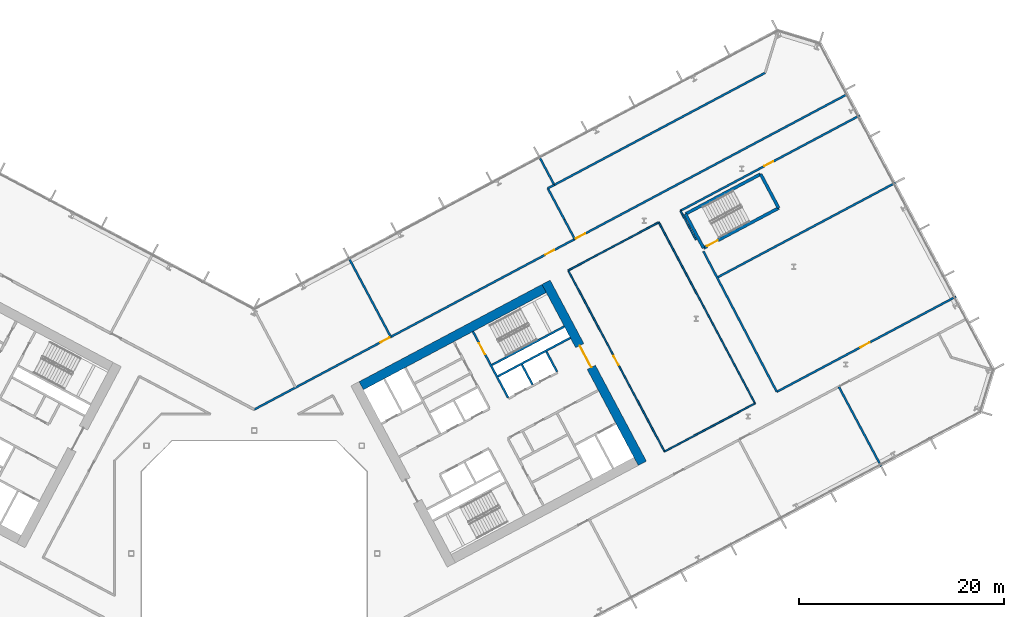
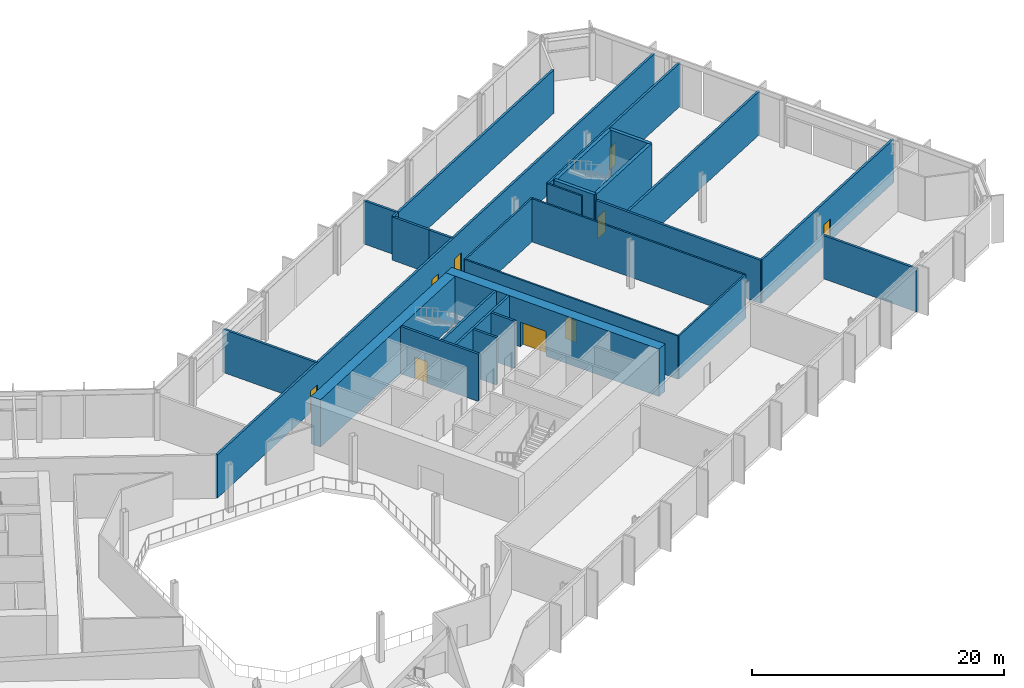
# One storey, part 18 of 32: 28 walls, 9 doors, 9 openings.
"""IFC4 building model written with IfcOpenShell, lengths in metres."""

from ifc_helpers import new_model, si_unit, direction, frame, frame_2d, origin, place, context, subcontext, project, spatial, rectangle, extrude, material, layer, layer_set, type_object, element, fill, save


model = new_model("IFC4")

# Units and contexts
model_context = context("Model", 3, precision=1e-05, world=origin(), true_north=direction((0.0, 1.0)))
body_context = subcontext(model_context, "Body", "Model", "MODEL_VIEW")
ifc_project = project(units=[si_unit("LENGTHUNIT", "METRE"), si_unit("AREAUNIT", "SQUARE_METRE"), si_unit("VOLUMEUNIT", "CUBIC_METRE"), si_unit("PLANEANGLEUNIT", "RADIAN"), si_unit("MASSUNIT", "GRAM", prefix="KILO")], contexts=[model_context])

# Site, building, storey
site_placement = place(None, origin())
site = spatial("IfcSite", under=ifc_project, at=site_placement, CompositionType="ELEMENT")
building_placement = place(site_placement, origin())
building = spatial("IfcBuilding", under=site, at=building_placement, Name="Cormorant Relay Tower", CompositionType="ELEMENT")
storey_placement = place(building_placement, frame((0.0, 0.0, 70.800048828125)))
storey = spatial("IfcBuildingStorey", under=building, at=storey_placement, Name="L13", CompositionType="ELEMENT", Elevation=70.800048828125)

# Wall
ifc_material_1 = material(Name="Concrete 40 MPa", Category="concrete")
ifc_layer_1 = layer(ifc_material_1, 0.199951171875)
ifc_layer_set_1 = layer_set([ifc_layer_1], Name="Core internal wall 200")
wall_type_1 = type_object("IfcWallType", Name="Core internal wall 200", PredefinedType="SOLIDWALL", material=ifc_layer_set_1)
wall_1_placement = place(storey_placement, frame((27.144287109375, 16.471435546875, 0.0), z_axis=(0.0, 0.0, 1.0), x_axis=(-0.469401318492, 0.882984938828, 0.0)))
element("IfcWall", 1, at=wall_1_placement, inside=storey, type_object=wall_type_1, Name="L13 core B shaft and room wall", PredefinedType="SOLIDWALL", context=body_context, shape_type="SweptSolid", body=[
    extrude(rectangle(XDim=2.199951171875, YDim=0.199951171875, at=frame_2d((1.10009765625, 0.0))), origin(), (0.0, 0.0, 1.0), 4.599853515625),
])

# Wall, opening, door
ifc_material_2 = material(Name="Concrete 50 MPa", Category="concrete")
ifc_layer_2 = layer(ifc_material_2, 0.199951171875)
ifc_layer_set_2 = layer_set([ifc_layer_2], Name="Core shaft wall 200")
wall_type_2 = type_object("IfcWallType", Name="Core shaft wall 200", PredefinedType="SHEAR", material=ifc_layer_set_2)
wall_2_placement = place(storey_placement, frame((24.760498046875, 15.2041015625, 0.0), z_axis=(0.0, 0.0, 1.0), x_axis=(-0.469494272526, 0.882935517501, 0.0)))
wall_2 = element("IfcWall", 2, at=wall_2_placement, inside=storey, type_object=wall_type_2, Name="L13 core B shaft wall", PredefinedType="SHEAR", context=body_context, shape_type="SweptSolid", body=[
    extrude(rectangle(XDim=7.2998046875, YDim=0.199951171875, at=frame_2d((3.64990234375, 0.0))), origin(), (0.0, 0.0, 1.0), 4.599853515625),
])
opening_1_placement = place(wall_2_placement, frame((4.800048828125, 0.0, 0.0)))
opening_1 = element("IfcOpeningElement", 3, at=opening_1_placement, cuts=wall_2, Name="Opening CDB-027", PredefinedType="OPENING", context=body_context, shape_type="SweptSolid", body=[
    extrude(rectangle(XDim=1.199951171875, YDim=2.10009765625, at=frame_2d((0.60009765625, 1.050048828125))), frame((0.0, 0.10986328125, 0.0), z_axis=(0.0, -1.0, 0.0), x_axis=(1.0, 0.0, 0.0)), (0.0, 0.0, 1.0), 0.219970703125),
])
ifc_material_3 = material(Name="Steel fire door", Category="steel")
door_type_1 = type_object("IfcDoorType", Name="Core stair door 1200x2100", OperationType="SINGLE_SWING_LEFT", PredefinedType="DOOR", material=ifc_material_3)
door_1_placement = place(opening_1_placement, frame((1.199951171875, 0.0, 0.0), z_axis=(0.0, 0.0, 1.0), x_axis=(-1.0, 0.0, 0.0)))
door_1 = element("IfcDoor", 4, at=door_1_placement, inside=storey, type_object=door_type_1, Name="Core stair door 1200x2100", OperationType="SINGLE_SWING_RIGHT", OverallHeight=2.10009765625, OverallWidth=1.199951171875, PredefinedType="DOOR", context=body_context, shape_type="SweptSolid", body=[
    extrude(rectangle(XDim=1.199951171875, YDim=2.10009765625, at=frame_2d((0.60009765625, 1.050048828125))), frame((0.0, 0.02490234375, 0.0), z_axis=(0.0, -1.0, 0.0), x_axis=(1.0, 0.0, 0.0)), (0.0, 0.0, 1.0), 0.050048828125),
])
fill(opening_1, door_1)

# Walls
wall_3_placement = place(storey_placement, frame((29.5283203125, 17.739013671875, 0.0), z_axis=(0.0, 0.0, 1.0), x_axis=(-0.469401318492, 0.882984938828, 0.0)))
element("IfcWall", 5, at=wall_3_placement, inside=storey, type_object=wall_type_2, Name="L13 core B shaft wall", PredefinedType="SHEAR", context=body_context, shape_type="SweptSolid", body=[
    extrude(rectangle(XDim=2.199951171875, YDim=0.199951171875, at=frame_2d((1.10009765625, 0.0))), origin(), (0.0, 0.0, 1.0), 4.599853515625),
])
wall_4_placement = place(storey_placement, frame((23.76904296875, 17.28173828125, 0.0), z_axis=(0.0, 0.0, 1.0), x_axis=(0.882940221191, 0.469485426614, 0.0)))
element("IfcWall", 6, at=wall_4_placement, inside=storey, type_object=wall_type_2, Name="L13 core B shaft wall", PredefinedType="SHEAR", context=body_context, shape_type="SweptSolid", body=[
    extrude(rectangle(XDim=8.0, YDim=0.199951171875, at=frame_2d((4.0, 0.0))), origin(), (0.0, 0.0, 1.0), 4.599853515625),
])
wall_5_placement = place(storey_placement, frame((23.18212890625, 18.385498046875, 0.0), z_axis=(0.0, 0.0, 1.0), x_axis=(0.88295287151, 0.469461634952, 0.0)))
element("IfcWall", 7, at=wall_5_placement, inside=storey, type_object=wall_type_2, Name="L13 core B shaft wall", PredefinedType="SHEAR", context=body_context, shape_type="SweptSolid", body=[
    extrude(rectangle(XDim=7.999755859375, YDim=0.199951171875, at=frame_2d((4.0, 0.0))), origin(), (0.0, 0.0, 1.0), 4.599853515625),
])

# Wall, opening, door
ifc_material_4 = material(Name="Concrete 70 MPa", Category="concrete")
ifc_layer_3 = layer(ifc_material_4, 0.89990234375)
ifc_layer_set_3 = layer_set([ifc_layer_3], Name="Core wall 900")
wall_type_3 = type_object("IfcWallType", Name="Core wall 900", PredefinedType="SHEAR", material=ifc_layer_set_3)
wall_6_placement = place(storey_placement, frame((37.849365234375, 8.799072265625, 0.0), z_axis=(0.0, 0.0, 1.0), x_axis=(-0.469465789982, 0.882950662289, 0.0)))
wall_6 = element("IfcWall", 8, at=wall_6_placement, inside=storey, type_object=wall_type_3, Name="L13 core B wall", PredefinedType="SHEAR", context=body_context, shape_type="SweptSolid", body=[
    extrude(rectangle(XDim=20.000244140625, YDim=0.89990234375, at=frame_2d((10.0, 0.0))), origin(), (0.0, 0.0, 1.0), 4.599853515625),
])
opening_2_placement = place(wall_6_placement, frame((10.60009765625, 0.0, 0.0)))
opening_2 = element("IfcOpeningElement", 9, at=opening_2_placement, cuts=wall_6, Name="Opening CDA-020", PredefinedType="OPENING", context=body_context, shape_type="SweptSolid", body=[
    extrude(rectangle(XDim=2.39990234375, YDim=2.39990234375, at=frame_2d((1.199951171875, 1.199951171875))), frame((0.0, 0.4599609375, 0.0), z_axis=(0.0, -1.0, 0.0), x_axis=(1.0, 0.0, 0.0)), (0.0, 0.0, 1.0), 0.919921875),
])
ifc_material_5 = material(Name="Steel fire door", Category="steel")
door_type_2 = type_object("IfcDoorType", Name="Core lobby door 2400x2400", OperationType="DOUBLE_DOOR_SINGLE_SWING", PredefinedType="DOOR", material=ifc_material_5)
door_2_placement = place(opening_2_placement, origin())
door_2 = element("IfcDoor", 10, at=door_2_placement, inside=storey, type_object=door_type_2, Name="Core lobby door 2400x2400", OperationType="DOUBLE_DOOR_SINGLE_SWING", OverallHeight=2.39990234375, OverallWidth=2.39990234375, PredefinedType="DOOR", context=body_context, shape_type="SweptSolid", body=[
    extrude(rectangle(XDim=2.39990234375, YDim=2.39990234375, at=frame_2d((1.199951171875, 1.199951171875))), frame((0.0, 0.02490234375, 0.0), z_axis=(0.0, -1.0, 0.0), x_axis=(1.0, 0.0, 0.0)), (0.0, 0.0, 1.0), 0.050048828125),
])
fill(opening_2, door_2)

# Wall
wall_7_placement = place(storey_placement, frame((10.4384765625, 16.3662109375, 0.0), z_axis=(0.0, 0.0, 1.0), x_axis=(0.88294509198, 0.469476266226, 0.0)))
element("IfcWall", 11, at=wall_7_placement, inside=storey, type_object=wall_type_3, Name="L13 core B wall", PredefinedType="SHEAR", context=body_context, shape_type="SweptSolid", body=[
    extrude(rectangle(XDim=20.199951171875, YDim=0.89990234375, at=frame_2d((10.10009765625, 0.0))), origin(), (0.0, 0.0, 1.0), 4.599853515625),
])

# Wall, openings, doors
ifc_material_6 = material(Name="Fire-rated gypsum board partition")
ifc_layer_4 = layer(ifc_material_6, 0.199951171875)
ifc_layer_set_4 = layer_set([ifc_layer_4], Name="Fire-rated gypsum partition 200")
wall_type_4 = type_object("IfcWallType", Name="Fire-rated gypsum partition 200", PredefinedType="PARTITIONING", material=ifc_layer_set_4)
wall_8_placement = place(storey_placement, frame((0.0, 14.0439453125, 0.0), z_axis=(0.0, 0.0, 1.0), x_axis=(0.882943219941, 0.469479786955, 0.0)))
wall_8 = element("IfcWall", 12, at=wall_8_placement, inside=storey, type_object=wall_type_4, Name="wall/L13/part/9", PredefinedType="PARTITIONING", context=body_context, shape_type="SweptSolid", body=[
    extrude(rectangle(XDim=65.606689453125, YDim=0.199951171875, at=frame_2d((32.80322265625, 0.0))), origin(), (0.0, 0.0, 1.0), 4.199951171875),
])
opening_3_placement = place(wall_8_placement, frame((35.550048828125, 0.0, 0.0)))
opening_3 = element("IfcOpeningElement", 13, at=opening_3_placement, cuts=wall_8, Name="Opening FD1-087", PredefinedType="OPENING", context=body_context, shape_type="SweptSolid", body=[
    extrude(rectangle(XDim=1.0, YDim=2.10009765625, at=frame_2d((0.5, 1.050048828125))), frame((0.0, 0.10986328125, 0.0), z_axis=(0.0, -1.0, 0.0), x_axis=(1.0, 0.0, 0.0)), (0.0, 0.0, 1.0), 0.219970703125),
])
opening_4_placement = place(wall_8_placement, frame((32.14990234375, 0.0, 0.0)))
opening_4 = element("IfcOpeningElement", 14, at=opening_4_placement, cuts=wall_8, Name="Opening FD1-088", PredefinedType="OPENING", context=body_context, shape_type="SweptSolid", body=[
    extrude(rectangle(XDim=1.0, YDim=2.10009765625, at=frame_2d((0.5, 1.050048828125))), frame((0.0, 0.10986328125, 0.0), z_axis=(0.0, -1.0, 0.0), x_axis=(1.0, 0.0, 0.0)), (0.0, 0.0, 1.0), 0.219970703125),
])
opening_5_placement = place(wall_8_placement, frame((13.949951171875, 0.0, 0.0)))
opening_5 = element("IfcOpeningElement", 15, at=opening_5_placement, cuts=wall_8, Name="Opening FD1-089", PredefinedType="OPENING", context=body_context, shape_type="SweptSolid", body=[
    extrude(rectangle(XDim=1.0, YDim=2.10009765625, at=frame_2d((0.5, 1.050048828125))), frame((0.0, 0.10986328125, 0.0), z_axis=(0.0, -1.0, 0.0), x_axis=(1.0, 0.0, 0.0)), (0.0, 0.0, 1.0), 0.219970703125),
])
ifc_material_7 = material(Name="Fire-rated steel door", Category="steel")
door_type_3 = type_object("IfcDoorType", Name="Fire door 1000 x 2100", OperationType="SINGLE_SWING_LEFT", PredefinedType="DOOR", material=ifc_material_7)
door_3_placement = place(opening_3_placement, origin())
door_3 = element("IfcDoor", 16, at=door_3_placement, inside=storey, type_object=door_type_3, Name="door/L13/5", OperationType="SINGLE_SWING_LEFT", OverallHeight=2.10009765625, OverallWidth=1.0, PredefinedType="DOOR", context=body_context, shape_type="SweptSolid", body=[
    extrude(rectangle(XDim=1.0, YDim=2.10009765625, at=frame_2d((0.5, 1.050048828125))), frame((0.0, 0.02490234375, 0.0), z_axis=(0.0, -1.0, 0.0), x_axis=(1.0, 0.0, 0.0)), (0.0, 0.0, 1.0), 0.050048828125),
])
fill(opening_3, door_3)
door_4_placement = place(opening_4_placement, origin())
door_4 = element("IfcDoor", 17, at=door_4_placement, inside=storey, type_object=door_type_3, Name="door/L13/6", OperationType="SINGLE_SWING_LEFT", OverallHeight=2.10009765625, OverallWidth=1.0, PredefinedType="DOOR", context=body_context, shape_type="SweptSolid", body=[
    extrude(rectangle(XDim=1.0, YDim=2.10009765625, at=frame_2d((0.5, 1.050048828125))), frame((0.0, 0.02490234375, 0.0), z_axis=(0.0, -1.0, 0.0), x_axis=(1.0, 0.0, 0.0)), (0.0, 0.0, 1.0), 0.050048828125),
])
fill(opening_4, door_4)
door_5_placement = place(opening_5_placement, origin())
door_5 = element("IfcDoor", 18, at=door_5_placement, inside=storey, type_object=door_type_3, Name="door/L13/7", OperationType="SINGLE_SWING_RIGHT", OverallHeight=2.10009765625, OverallWidth=1.0, PredefinedType="DOOR", context=body_context, shape_type="SweptSolid", body=[
    extrude(rectangle(XDim=1.0, YDim=2.10009765625, at=frame_2d((0.5, 1.050048828125))), frame((0.0, 0.02490234375, 0.0), z_axis=(0.0, -1.0, 0.0), x_axis=(1.0, 0.0, 0.0)), (0.0, 0.0, 1.0), 0.050048828125),
])
fill(opening_5, door_5)

# Walls
wall_9_placement = place(storey_placement, frame((9.19091796875, 28.89794921875, 0.0), z_axis=(0.0, 0.0, 1.0), x_axis=(0.46939995126, -0.882985665658, 0.0)))
element("IfcWall", 19, at=wall_9_placement, inside=storey, type_object=wall_type_4, Name="wall/L13/part/27", PredefinedType="PARTITIONING", context=body_context, shape_type="SweptSolid", body=[
    extrude(rectangle(XDim=8.80078125, YDim=0.199951171875, at=frame_2d((4.400390625, 0.0))), origin(), (0.0, 0.0, 1.0), 4.199951171875),
])
wall_10_placement = place(storey_placement, frame((30.2490234375, 32.572021484375, 0.0), z_axis=(0.0, 0.0, 1.0), x_axis=(0.469290296872, -0.883043949791, 0.0)))
element("IfcWall", 20, at=wall_10_placement, inside=storey, type_object=wall_type_4, Name="wall/L13/part/33", PredefinedType="PARTITIONING", context=body_context, shape_type="SweptSolid", body=[
    extrude(rectangle(XDim=2.158447265625, YDim=0.199951171875, at=frame_2d((1.0791015625, 0.0))), origin(), (0.0, 0.0, 1.0), 4.199951171875),
])
wall_11_placement = place(storey_placement, frame((27.760009765625, 38.77099609375, 0.0), z_axis=(0.0, 0.0, 1.0), x_axis=(0.469320691295, -0.883027796121, 0.0)))
element("IfcWall", 21, at=wall_11_placement, inside=storey, type_object=wall_type_4, Name="wall/L13/part/37", PredefinedType="PARTITIONING", context=body_context, shape_type="SweptSolid", body=[
    extrude(rectangle(XDim=3.2001953125, YDim=0.199951171875, at=frame_2d((1.60009765625, 0.0))), origin(), (0.0, 0.0, 1.0), 4.199951171875),
])
wall_12_placement = place(storey_placement, frame((29.260009765625, 35.945068359375, 0.0), z_axis=(0.0, 0.0, 1.0), x_axis=(0.882968820758, 0.469431636737, 0.0)))
element("IfcWall", 22, at=wall_12_placement, inside=storey, type_object=wall_type_4, Name="wall/L13/part/38", PredefinedType="PARTITIONING", context=body_context, shape_type="SweptSolid", body=[
    extrude(rectangle(XDim=23.28955078125, YDim=0.199951171875, at=frame_2d((11.644775390625, 0.0))), origin(), (0.0, 0.0, 1.0), 4.199951171875),
])
wall_13_placement = place(storey_placement, frame((30.2490234375, 32.572021484375, 0.0), z_axis=(0.0, 0.0, 1.0), x_axis=(-0.46948710086, 0.882939330943, 0.0)))
element("IfcWall", 23, at=wall_13_placement, inside=storey, type_object=wall_type_4, Name="wall/L13/part/40", PredefinedType="PARTITIONING", context=body_context, shape_type="SweptSolid", body=[
    extrude(rectangle(XDim=3.44189453125, YDim=0.199951171875, at=frame_2d((1.720947265625, 0.0))), origin(), (0.0, 0.0, 1.0), 4.199951171875),
])
wall_14_placement = place(storey_placement, frame((28.633056640625, 35.611083984375, 0.0), z_axis=(0.0, 0.0, 1.0), x_axis=(0.882581167339, 0.470160061106, 0.0)))
element("IfcWall", 24, at=wall_14_placement, inside=storey, type_object=wall_type_4, Name="wall/L13/part/41", PredefinedType="PARTITIONING", context=body_context, shape_type="SweptSolid", body=[
    extrude(rectangle(XDim=0.71044921875, YDim=0.199951171875, at=frame_2d((0.355224609375, 0.0))), origin(), (0.0, 0.0, 1.0), 4.199951171875),
])

# Wall, opening, door
wall_15_placement = place(storey_placement, frame((41.572021484375, 33.429931640625, 0.0), z_axis=(0.0, 0.0, 1.0), x_axis=(0.882950585831, 0.469465933781, 0.0)))
wall_15 = element("IfcWall", 25, at=wall_15_placement, inside=storey, type_object=wall_type_4, Name="wall/L13/part/44", PredefinedType="PARTITIONING", context=body_context, shape_type="SweptSolid", body=[
    extrude(rectangle(XDim=19.799560546875, YDim=0.199951171875, at=frame_2d((9.89990234375, 0.0))), origin(), (0.0, 0.0, 1.0), 4.199951171875),
])
opening_6_placement = place(wall_15_placement, frame((9.25, 0.0, 0.0)))
opening_6 = element("IfcOpeningElement", 26, at=opening_6_placement, cuts=wall_15, Name="Opening FD1-085", PredefinedType="OPENING", context=body_context, shape_type="SweptSolid", body=[
    extrude(rectangle(XDim=1.0, YDim=2.10009765625, at=frame_2d((0.5, 1.050048828125))), frame((0.0, 0.10986328125, 0.0), z_axis=(0.0, -1.0, 0.0), x_axis=(1.0, 0.0, 0.0)), (0.0, 0.0, 1.0), 0.219970703125),
])
door_6_placement = place(opening_6_placement, frame((1.0, 0.0, 0.0), z_axis=(0.0, 0.0, 1.0), x_axis=(-1.0, 0.0, 0.0)))
door_6 = element("IfcDoor", 27, at=door_6_placement, inside=storey, type_object=door_type_3, Name="door/L13/23", OperationType="SINGLE_SWING_RIGHT", OverallHeight=2.10009765625, OverallWidth=1.0, PredefinedType="DOOR", context=body_context, shape_type="SweptSolid", body=[
    extrude(rectangle(XDim=1.0, YDim=2.10009765625, at=frame_2d((0.5, 1.050048828125))), frame((0.0, 0.02490234375, 0.0), z_axis=(0.0, -1.0, 0.0), x_axis=(1.0, 0.0, 0.0)), (0.0, 0.0, 1.0), 0.050048828125),
])
fill(opening_6, door_6)

# Wall
wall_16_placement = place(storey_placement, frame((43.801025390625, 29.48291015625, 0.0), z_axis=(0.0, 0.0, 1.0), x_axis=(0.462864260364, -0.886429171721, 0.0)))
element("IfcWall", 28, at=wall_16_placement, inside=storey, type_object=wall_type_4, Name="wall/L13/part/46", PredefinedType="PARTITIONING", context=body_context, shape_type="SweptSolid", body=[
    extrude(rectangle(XDim=15.46875, YDim=0.199951171875, at=frame_2d((7.734375, 0.0))), origin(), (0.0, 0.0, 1.0), 4.199951171875),
])

# Wall, opening, door
wall_17_placement = place(storey_placement, frame((50.9609375, 15.77099609375, 0.0), z_axis=(0.0, 0.0, 1.0), x_axis=(0.882969283776, 0.469430765831, 0.0)))
wall_17 = element("IfcWall", 29, at=wall_17_placement, inside=storey, type_object=wall_type_4, Name="wall/L13/part/47", PredefinedType="PARTITIONING", context=body_context, shape_type="SweptSolid", body=[
    extrude(rectangle(XDim=19.80029296875, YDim=0.199951171875, at=frame_2d((9.900146484375, 0.0))), origin(), (0.0, 0.0, 1.0), 4.199951171875),
])
opening_7_placement = place(wall_17_placement, frame((9.25, 0.0, 0.0)))
opening_7 = element("IfcOpeningElement", 30, at=opening_7_placement, cuts=wall_17, Name="Opening FD1-084", PredefinedType="OPENING", context=body_context, shape_type="SweptSolid", body=[
    extrude(rectangle(XDim=1.0, YDim=2.10009765625, at=frame_2d((0.5, 1.050048828125))), frame((0.0, 0.10986328125, 0.0), z_axis=(0.0, -1.0, 0.0), x_axis=(1.0, 0.0, 0.0)), (0.0, 0.0, 1.0), 0.219970703125),
])
door_7_placement = place(opening_7_placement, origin())
door_7 = element("IfcDoor", 31, at=door_7_placement, inside=storey, type_object=door_type_3, Name="door/L13/22", OperationType="SINGLE_SWING_LEFT", OverallHeight=2.10009765625, OverallWidth=1.0, PredefinedType="DOOR", context=body_context, shape_type="SweptSolid", body=[
    extrude(rectangle(XDim=1.0, YDim=2.10009765625, at=frame_2d((0.5, 1.050048828125))), frame((0.0, 0.02490234375, 0.0), z_axis=(0.0, -1.0, 0.0), x_axis=(1.0, 0.0, 0.0)), (0.0, 0.0, 1.0), 0.050048828125),
])
fill(opening_7, door_7)

# Walls
wall_18_placement = place(storey_placement, frame((62.5419921875, 36.166015625, 0.0), z_axis=(0.0, 0.0, 1.0), x_axis=(-0.882962645452, -0.46944325188, 0.0)))
element("IfcWall", 32, at=wall_18_placement, inside=storey, type_object=wall_type_4, Name="wall/L13/part/48", PredefinedType="PARTITIONING", context=body_context, shape_type="SweptSolid", body=[
    extrude(rectangle(XDim=19.706298828125, YDim=0.199951171875, at=frame_2d((9.85302734375, 0.0))), origin(), (0.0, 0.0, 1.0), 4.199951171875),
])
wall_19_placement = place(storey_placement, frame((57.010986328125, 16.26904296875, 0.0), z_axis=(0.0, 0.0, 1.0), x_axis=(0.469445946219, -0.882961212952, 0.0)))
element("IfcWall", 33, at=wall_19_placement, inside=storey, type_object=wall_type_4, Name="wall/L13/part/49", PredefinedType="PARTITIONING", context=body_context, shape_type="SweptSolid", body=[
    extrude(rectangle(XDim=8.800048828125, YDim=0.199951171875, at=frame_2d((4.39990234375, 0.0))), origin(), (0.0, 0.0, 1.0), 4.199951171875),
])
ifc_material_8 = material(Name="Gypsum board partition")
ifc_layer_5 = layer(ifc_material_8, 0.14990234375)
ifc_layer_set_5 = layer_set([ifc_layer_5], Name="Gypsum board partition 150")
wall_type_5 = type_object("IfcWallType", Name="Gypsum board partition 150", PredefinedType="PARTITIONING", material=ifc_layer_set_5)
wall_20_placement = place(storey_placement, frame((41.572021484375, 33.429931640625, 0.0), z_axis=(0.0, 0.0, 1.0), x_axis=(0.469510863882, -0.882926694974, 0.0)))
element("IfcWall", 34, at=wall_20_placement, inside=storey, type_object=wall_type_5, Name="wall/L13/part/45", PredefinedType="PARTITIONING", context=body_context, shape_type="SweptSolid", body=[
    extrude(rectangle(XDim=3.2119140625, YDim=0.14990234375, at=frame_2d((1.60595703125, 0.0))), origin(), (0.0, 0.0, 1.0), 4.199951171875),
])
wall_21_placement = place(storey_placement, frame((30.623046875, 27.60791015625, 0.0), z_axis=(0.0, 0.0, 1.0), x_axis=(0.882940863385, 0.469484218867, 0.0)))
element("IfcWall", 35, at=wall_21_placement, inside=storey, type_object=wall_type_5, Name="wall/L13/part/64", PredefinedType="PARTITIONING", context=body_context, shape_type="SweptSolid", body=[
    extrude(rectangle(XDim=10.00048828125, YDim=0.14990234375, at=frame_2d((5.000244140625, 0.0))), origin(), (0.0, 0.0, 1.0), 4.199951171875),
])
wall_22_placement = place(storey_placement, frame((39.452880859375, 32.302978515625, 0.0), z_axis=(0.0, 0.0, 1.0), x_axis=(0.469461333319, -0.882953031887, 0.0)))
element("IfcWall", 36, at=wall_22_placement, inside=storey, type_object=wall_type_5, Name="wall/L13/part/65", PredefinedType="PARTITIONING", context=body_context, shape_type="SweptSolid", body=[
    extrude(rectangle(XDim=19.999755859375, YDim=0.14990234375, at=frame_2d((10.0, 0.0))), origin(), (0.0, 0.0, 1.0), 4.199951171875),
])
wall_23_placement = place(storey_placement, frame((48.842041015625, 14.64404296875, 0.0), z_axis=(0.0, 0.0, 1.0), x_axis=(-0.882924718888, -0.46951457994, 0.0)))
element("IfcWall", 37, at=wall_23_placement, inside=storey, type_object=wall_type_5, Name="wall/L13/part/66", PredefinedType="PARTITIONING", context=body_context, shape_type="SweptSolid", body=[
    extrude(rectangle(XDim=9.999755859375, YDim=0.14990234375, at=frame_2d((5.0, 0.0))), origin(), (0.0, 0.0, 1.0), 4.199951171875),
])

# Wall, opening, door
wall_24_placement = place(storey_placement, frame((40.012939453125, 9.948974609375, 0.0), z_axis=(0.0, 0.0, 1.0), x_axis=(-0.469489882812, 0.882937851685, 0.0)))
wall_24 = element("IfcWall", 38, at=wall_24_placement, inside=storey, type_object=wall_type_5, Name="wall/L13/part/67", PredefinedType="PARTITIONING", context=body_context, shape_type="SweptSolid", body=[
    extrude(rectangle(XDim=20.000244140625, YDim=0.14990234375, at=frame_2d((10.0, 0.0))), origin(), (0.0, 0.0, 1.0), 4.199951171875),
])
opening_8_placement = place(wall_24_placement, frame((9.550048828125, 0.0, 0.0)))
opening_8 = element("IfcOpeningElement", 39, at=opening_8_placement, cuts=wall_24, Name="Opening D1-030", PredefinedType="OPENING", context=body_context, shape_type="SweptSolid", body=[
    extrude(rectangle(XDim=1.0, YDim=2.10009765625, at=frame_2d((0.5, 1.050048828125))), frame((0.0, 0.0849609375, 0.0), z_axis=(0.0, -1.0, 0.0), x_axis=(1.0, 0.0, 0.0)), (0.0, 0.0, 1.0), 0.169921875),
])
ifc_material_9 = material(Name="Painted steel door", Category="steel")
door_type_4 = type_object("IfcDoorType", Name="Single door 1000 x 2100", OperationType="SINGLE_SWING_LEFT", PredefinedType="DOOR", material=ifc_material_9)
door_8_placement = place(opening_8_placement, origin())
door_8 = element("IfcDoor", 40, at=door_8_placement, inside=storey, type_object=door_type_4, Name="door/L13/21", OperationType="SINGLE_SWING_RIGHT", OverallHeight=2.10009765625, OverallWidth=1.0, PredefinedType="DOOR", context=body_context, shape_type="SweptSolid", body=[
    extrude(rectangle(XDim=1.0, YDim=2.10009765625, at=frame_2d((0.5, 1.050048828125))), frame((0.0, 0.02490234375, 0.0), z_axis=(0.0, -1.0, 0.0), x_axis=(1.0, 0.0, 0.0)), (0.0, 0.0, 1.0), 0.050048828125),
])
fill(opening_8, door_8)

# Wall
ifc_material_10 = material(Name="Concrete 50 MPa", Category="concrete")
ifc_layer_6 = layer(ifc_material_10, 0.300048828125)
ifc_layer_set_6 = layer_set([ifc_layer_6], Name="Remote stair wall 300")
wall_type_6 = type_object("IfcWallType", Name="Remote stair wall 300", PredefinedType="SHEAR", material=ifc_layer_set_6)
wall_25_placement = place(storey_placement, frame((49.384033203125, 37.00390625, 0.0), z_axis=(0.0, 0.0, 1.0), x_axis=(0.46946936446, -0.882948761726, 0.0)))
element("IfcWall", 41, at=wall_25_placement, inside=storey, type_object=wall_type_6, Name="L13 exit stair RB1 wall", PredefinedType="SHEAR", context=body_context, shape_type="SweptSolid", body=[
    extrude(rectangle(XDim=3.75, YDim=0.300048828125, at=frame_2d((1.875, 0.0))), origin(), (0.0, 0.0, 1.0), 4.599853515625),
])

# Wall, opening, door
wall_26_placement = place(storey_placement, frame((51.14453125, 33.69287109375, 0.0), z_axis=(0.0, 0.0, 1.0), x_axis=(-0.882945809314, -0.469474917132, 0.0)))
wall_26 = element("IfcWall", 42, at=wall_26_placement, inside=storey, type_object=wall_type_6, Name="L13 exit stair RB1 wall", PredefinedType="SHEAR", context=body_context, shape_type="SweptSolid", body=[
    extrude(rectangle(XDim=8.30029296875, YDim=0.300048828125, at=frame_2d((4.150146484375, 0.0))), origin(), (0.0, 0.0, 1.0), 4.599853515625),
])
opening_9_placement = place(wall_26_placement, frame((6.72509765625, 0.0, 0.0)))
opening_9 = element("IfcOpeningElement", 43, at=opening_9_placement, cuts=wall_26, Name="Opening CDB-028", PredefinedType="OPENING", context=body_context, shape_type="SweptSolid", body=[
    extrude(rectangle(XDim=1.199951171875, YDim=2.10009765625, at=frame_2d((0.60009765625, 1.050048828125))), frame((0.0, 0.159912109375, 0.0), z_axis=(0.0, -1.0, 0.0), x_axis=(1.0, 0.0, 0.0)), (0.0, 0.0, 1.0), 0.320068359375),
])
door_9_placement = place(opening_9_placement, frame((1.199951171875, 0.0, 0.0), z_axis=(0.0, 0.0, 1.0), x_axis=(-1.0, 0.0, 0.0)))
door_9 = element("IfcDoor", 44, at=door_9_placement, inside=storey, type_object=door_type_1, Name="Exit stair RB1 door", OperationType="SINGLE_SWING_LEFT", OverallHeight=2.10009765625, OverallWidth=1.199951171875, PredefinedType="DOOR", context=body_context, shape_type="SweptSolid", body=[
    extrude(rectangle(XDim=1.199951171875, YDim=2.10009765625, at=frame_2d((0.60009765625, 1.050048828125))), frame((0.0, 0.02490234375, 0.0), z_axis=(0.0, -1.0, 0.0), x_axis=(1.0, 0.0, 0.0)), (0.0, 0.0, 1.0), 0.050048828125),
])
fill(opening_9, door_9)

# Walls
wall_27_placement = place(storey_placement, frame((43.81591796875, 29.796142578125, 0.0), z_axis=(0.0, 0.0, 1.0), x_axis=(-0.46946936446, 0.882948761726, 0.0)))
element("IfcWall", 45, at=wall_27_placement, inside=storey, type_object=wall_type_6, Name="L13 exit stair RB1 wall", PredefinedType="SHEAR", context=body_context, shape_type="SweptSolid", body=[
    extrude(rectangle(XDim=3.75, YDim=0.300048828125, at=frame_2d((1.875, 0.0))), origin(), (0.0, 0.0, 1.0), 4.599853515625),
])
wall_28_placement = place(storey_placement, frame((42.055419921875, 33.107177734375, 0.0), z_axis=(0.0, 0.0, 1.0), x_axis=(0.882945809314, 0.469474917132, 0.0)))
element("IfcWall", 46, at=wall_28_placement, inside=storey, type_object=wall_type_6, Name="L13 exit stair RB1 wall", PredefinedType="SHEAR", context=body_context, shape_type="SweptSolid", body=[
    extrude(rectangle(XDim=8.30029296875, YDim=0.300048828125, at=frame_2d((4.150146484375, 0.0))), origin(), (0.0, 0.0, 1.0), 4.599853515625),
])

save(model, "model.ifc")
